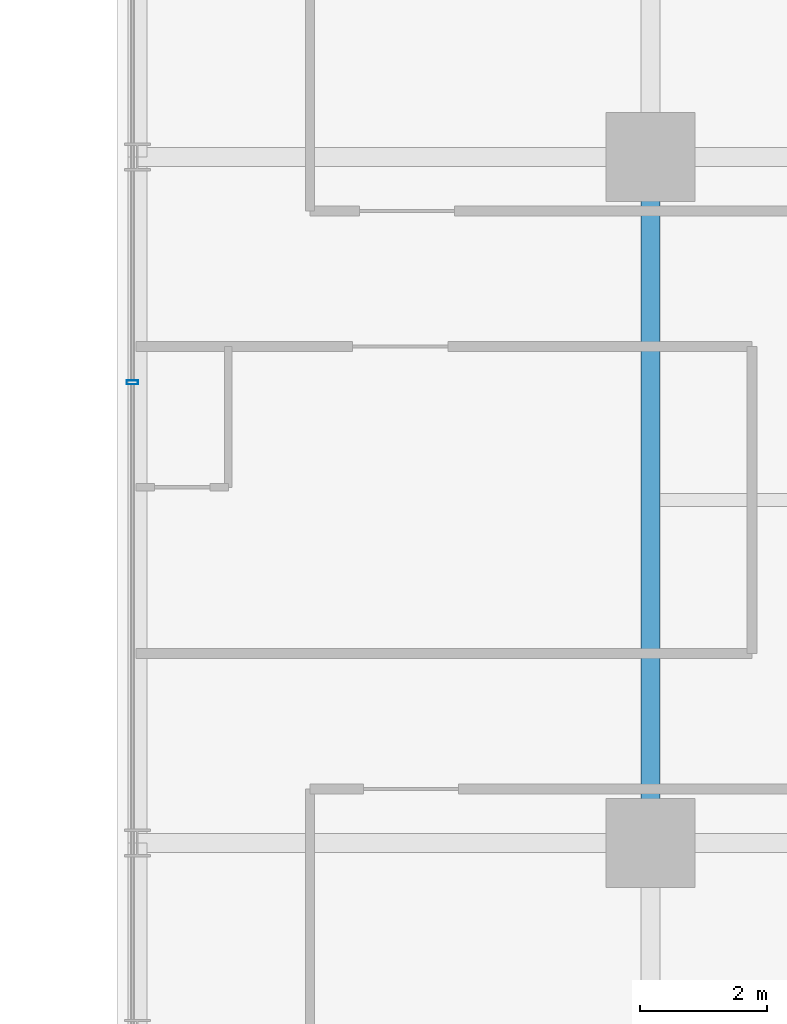
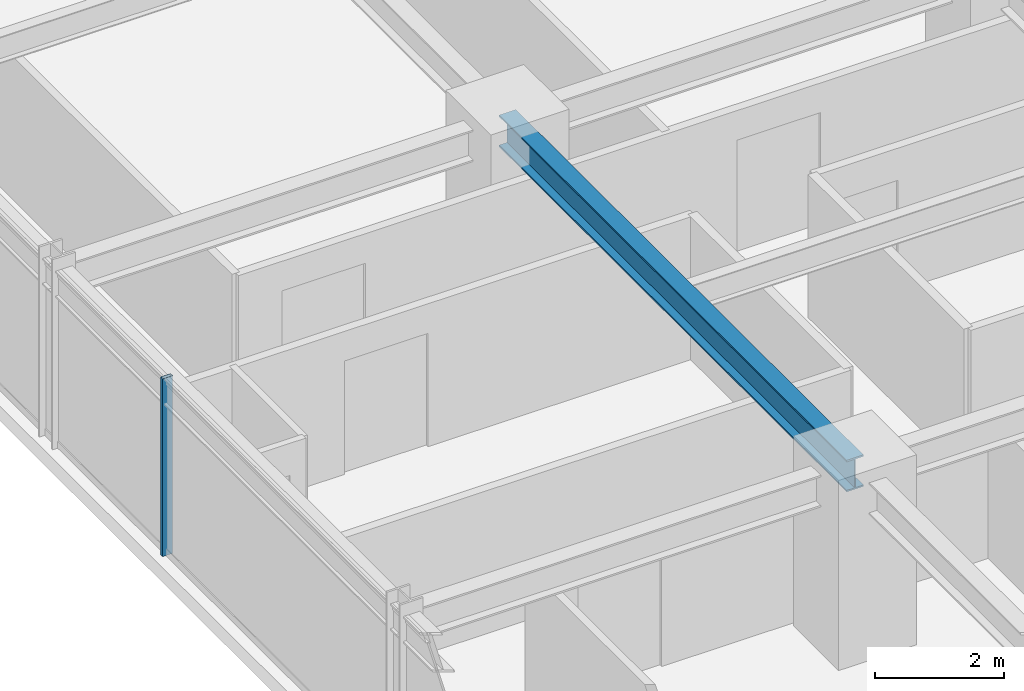
# One storey, part 10 of 37: 1 beam, 1 member, 1 element without a shape of its own.
"""IFC4 building model written with IfcOpenShell, lengths in metres."""

from ifc_helpers import new_model, si_unit, direction, frame, origin, origin_2d, place, context, subcontext, project, spatial, hollow_rectangle, i_section, extrude, source, transform, mapped, material, material_profile, profile_set, type_object, element, aggregate, save


model = new_model("IFC4")

# Units and contexts
model_context = context("Model", 3, precision=1e-05, world=origin(), true_north=direction((0.0, 1.0)))
body_context = subcontext(model_context, "Body", "Model", "MODEL_VIEW")
ifc_project = project(units=[si_unit("LENGTHUNIT", "METRE"), si_unit("AREAUNIT", "SQUARE_METRE"), si_unit("VOLUMEUNIT", "CUBIC_METRE"), si_unit("PLANEANGLEUNIT", "RADIAN"), si_unit("MASSUNIT", "GRAM", prefix="KILO")], contexts=[model_context])

# Site, building, storey
site_placement = place(None, origin())
site = spatial("IfcSite", under=ifc_project, at=site_placement, CompositionType="ELEMENT")
building_placement = place(site_placement, origin())
building = spatial("IfcBuilding", under=site, at=building_placement, Name="Nahalor Promenade Grand Hotel", CompositionType="ELEMENT")
storey_placement = place(building_placement, frame((0.0, 0.0, 36.050048828125)))
storey = spatial("IfcBuildingStorey", under=building, at=storey_placement, Name="L07", CompositionType="ELEMENT", Elevation=36.050048828125)

# Beam
ifc_material_1 = material(Name="Steel S355JR", Category="steel")
ifc_material_profile_1 = material_profile(ifc_material_1, i_section(OverallWidth=0.3, OverallDepth=0.6, WebThickness=0.0155, FlangeThickness=0.03, at=origin_2d()), Name="HEB 600")
ifc_profile_set_1 = profile_set([ifc_material_profile_1], Name="Steel S355JR")
beam_type = type_object("IfcBeamType", Name="Beam-Girder-HEB600", PredefinedType="BEAM", material=ifc_profile_set_1)
shared_shape_1 = source(origin(), body_context, "Body", "SweptSolid", [
    extrude(i_section(OverallWidth=0.3, OverallDepth=0.6, WebThickness=0.0155, FlangeThickness=0.03, at=origin_2d()), origin(), (0.0, 0.0, 1.0), 10.7998046875),
])
beam_placement = place(storey_placement, frame((-17.0, -5.39990234375, 3.070068359375), z_axis=(0.0, 1.0, 0.0), x_axis=(-1.0, 0.0, 0.0)))
element("IfcBeam", 1, at=beam_placement, inside=storey, type_object=beam_type, Name="BM-L07-GY-0-2", PredefinedType="BEAM", context=body_context, shape_type="MappedRepresentation", body=[
    mapped(shared_shape_1, transform((0.0, 0.0, 0.0), scale=1.0)),
])

# Curtain wall, member
ifc_material_2 = material(Name="Anodised Bronze Aluminium EN AW-6063 T6", Category="aluminium")
curtain_wall_type = type_object("IfcCurtainWallType", Name="CW2 Typical Hotel Flush Bronze Unitised Curtain Wall", PredefinedType="USERDEFINED", material=ifc_material_2)
curtain_wall_placement = place(storey_placement, origin())
curtain_wall = element("IfcCurtainWall", 2, at=curtain_wall_placement, inside=storey, type_object=curtain_wall_type, Name="L07 Curtain Wall CW-L07-W-3", ObjectType="UNITISED_CURTAIN_WALL", PredefinedType="USERDEFINED")
ifc_material_profile_2 = material_profile(ifc_material_2, hollow_rectangle(XDim=0.065, YDim=0.18, WallThickness=0.004, at=origin_2d()), Name="CWM 65x180x4")
ifc_profile_set_2 = profile_set([ifc_material_profile_2], Name="Anodised Bronze Aluminium EN AW-6063 T6")
member_type = type_object("IfcMemberType", Name="CWM2 Typical Bronze Mullion 65x180", PredefinedType="MULLION", material=ifc_profile_set_2)
shared_shape_2 = source(origin(), body_context, "Body", "SweptSolid", [
    extrude(hollow_rectangle(XDim=0.065, YDim=0.18, WallThickness=0.004, at=origin_2d()), origin(), (0.0, 0.0, 1.0), 3.369873046875),
])
member_placement = place(storey_placement, frame((-25.159912109375, 1.853271484375, 0.0), z_axis=(0.0, 0.0, 1.0), x_axis=(0.0, 1.0, 0.0)))
member = element("IfcMember", 3, at=member_placement, type_object=member_type, Name="CW-L07-W-3 Mullion 1", PredefinedType="MULLION", context=body_context, shape_type="MappedRepresentation", body=[
    mapped(shared_shape_2, transform((0.0, 0.0, 0.0), scale=1.0)),
])
aggregate(curtain_wall, [member])

save(model, "model.ifc")
